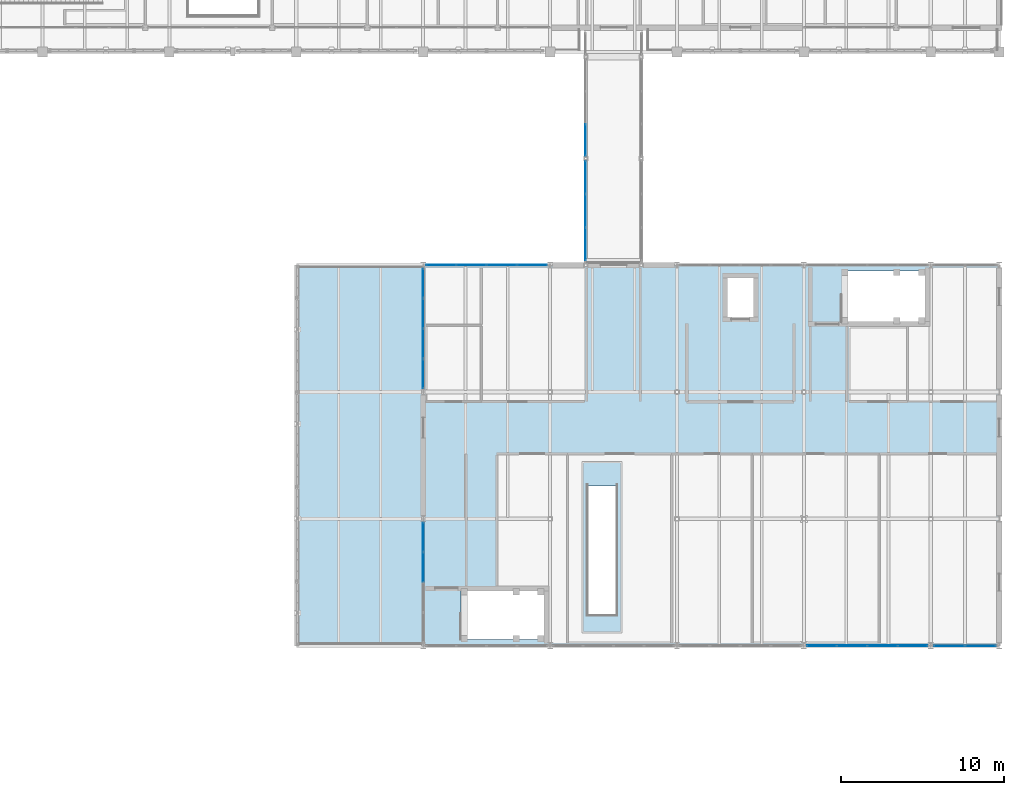
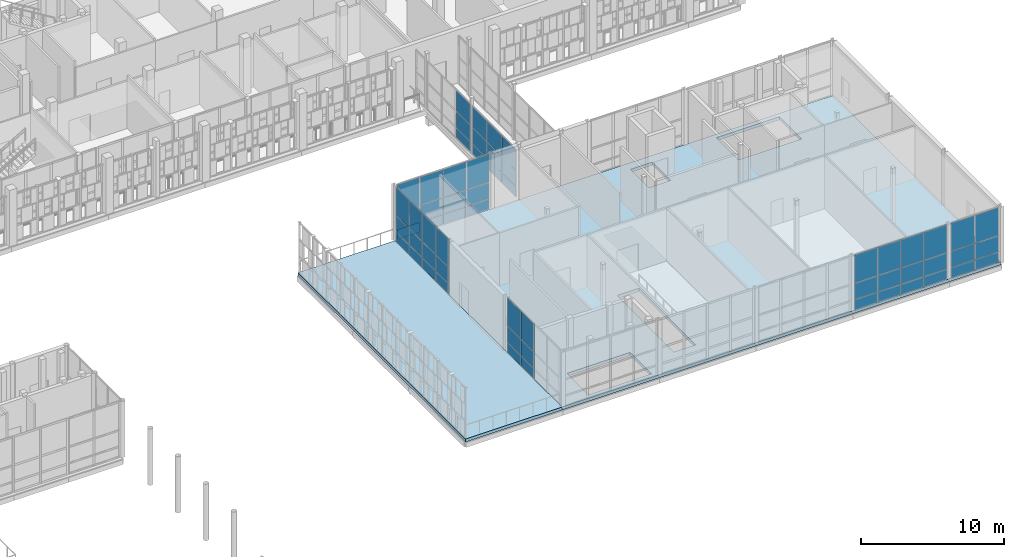
# One storey, part 87 of 138: 60 plates, 2 slabs, 7 elements without a shape of their own.
"""IFC4 building model written with IfcOpenShell, lengths in metres."""

import ifcopenshell
import ifcopenshell.guid

model = None  # the IFC model being written
_history = None  # IfcOwnerHistory: only IFC2X3 demands one
_inside = {}  # id of a spatial element -> (the spatial element, [elements in it])
_under = {}  # id of a project, library or spatial element -> (it, [spatial elements below it])
_declared = {}  # id of a project -> (the project, [libraries it declares])
_typed = {}  # id of a type object -> (the type object, [elements of that type])
_made_of = {}  # id of a material, layer set ... -> (it, [elements and type objects made of it])


def new_model(schema):
    """Start an empty IFC model of exactly this schema.

    Asked for "IFC4X3", IfcOpenShell would pick the latest addendum, in which some entities
    have other attributes; the version numbers below select the first issue.
    IFC2X3 requires an IfcOwnerHistory on every rooted entity: one is made here for all.
    """
    global model, _history
    if schema == "IFC4X3":
        model = ifcopenshell.file(schema_version=(4, 3, 0, 0))
    else:
        model = ifcopenshell.file(schema=schema)
    _inside.clear()
    _under.clear()
    _declared.clear()
    _typed.clear()
    _made_of.clear()
    _history = None
    if model.schema == "IFC2X3":
        org = make("IfcOrganization", Name="unknown")
        user = make(
            "IfcPersonAndOrganization",
            ThePerson=make("IfcPerson", FamilyName="unknown"),
            TheOrganization=org,
        )
        app = make(
            "IfcApplication",
            ApplicationDeveloper=org,
            Version="unknown",
            ApplicationFullName="unknown",
            ApplicationIdentifier="unknown",
        )
        _history = make(
            "IfcOwnerHistory",
            OwningUser=user,
            OwningApplication=app,
            ChangeAction="ADDED",
            CreationDate=0,
        )
    return model


def make(cls, **values):
    """One entity of the class cls with the attributes given. An attribute that is None is left unset."""
    return model.create_entity(
        cls, **{name: value for name, value in values.items() if value is not None}
    )


def rooted(cls, **values):
    """An entity with a GlobalId (a new one), such as an element, a storey or a relation."""
    return make(cls, GlobalId=ifcopenshell.guid.new(), OwnerHistory=_history, **values)


def si_unit(unit_type, name, prefix=None):
    """IfcSIUnit, for example si_unit("LENGTHUNIT", "METRE", prefix="MILLI")."""
    return make("IfcSIUnit", UnitType=unit_type, Prefix=prefix, Name=name)


def assignment(units):
    """IfcUnitAssignment: the units of a project."""
    return None if units is None else make("IfcUnitAssignment", Units=units)


def point(xyz):
    """IfcCartesianPoint."""
    return None if xyz is None else make("IfcCartesianPoint", Coordinates=xyz)


def direction(xyz):
    """IfcDirection."""
    return None if xyz is None else make("IfcDirection", DirectionRatios=xyz)


def frame(location, z_axis=None, x_axis=None):
    """IfcAxis2Placement3D, a coordinate frame: its origin and axes. An axis left out is left unset."""
    return make(
        "IfcAxis2Placement3D",
        Location=point(location),
        Axis=direction(z_axis),
        RefDirection=direction(x_axis),
    )


def frame_2d(location, x_axis=None):
    """IfcAxis2Placement2D, a coordinate frame in the plane: its origin and x axis."""
    return make(
        "IfcAxis2Placement2D", Location=point(location), RefDirection=direction(x_axis)
    )


def origin():
    """The frame at (0, 0, 0) with its axes left unset."""
    return frame((0.0, 0.0, 0.0))


def origin_2d():
    """The frame at (0, 0) in the plane with its x axis left unset."""
    return frame_2d((0.0, 0.0))


def place(relative_to, where):
    """IfcLocalPlacement: puts the frame where relative to a parent placement (None: the world)."""
    return make(
        "IfcLocalPlacement", PlacementRelTo=relative_to, RelativePlacement=where
    )


def context(
    kind, dimensions, precision=None, world=None, true_north=None, identifier=None
):
    """IfcGeometricRepresentationContext, for example the 3D "Model" context."""
    return make(
        "IfcGeometricRepresentationContext",
        ContextIdentifier=identifier,
        ContextType=kind,
        CoordinateSpaceDimension=dimensions,
        Precision=precision,
        WorldCoordinateSystem=world,
        TrueNorth=true_north,
    )


def subcontext(parent, identifier, kind, view, scale=None):
    """IfcGeometricRepresentationSubContext, for example "Body" below "Model"."""
    return make(
        "IfcGeometricRepresentationSubContext",
        ContextIdentifier=identifier,
        ContextType=kind,
        ParentContext=parent,
        TargetScale=scale,
        TargetView=view,
    )


def project(units=None, contexts=None):
    """IfcProject with its units and contexts."""
    return rooted(
        "IfcProject",
        Name="project",
        RepresentationContexts=contexts,
        UnitsInContext=assignment(units),
    )


def spatial(cls, under=None, at=None, **own):
    """A site, building, storey or space (cls), placed at a placement, below another one or the project."""
    s = rooted(cls, ObjectPlacement=at, **own)
    if under is not None:
        _under.setdefault(under.id(), (under, []))[1].append(s)
    return s


def polyline(points):
    """IfcPolyline through the points."""
    return make("IfcPolyline", Points=[point(p) for p in points])


def profile(cls, at=None, kind="AREA", **sizes):
    """A parametric profile (cls). Its sizes go by their IFC names, for example OverallWidth=200.0."""
    return make(cls, ProfileType=kind, Position=at, **sizes)


def rectangle(**sizes):
    """IfcRectangleProfileDef."""
    return profile("IfcRectangleProfileDef", **sizes)


def outline(outer, holes=None, kind="AREA"):
    """IfcArbitraryClosedProfileDef: a profile drawn as a closed curve; with holes, ...WithVoids."""
    if holes is None:
        return make("IfcArbitraryClosedProfileDef", ProfileType=kind, OuterCurve=outer)
    return make(
        "IfcArbitraryProfileDefWithVoids",
        ProfileType=kind,
        OuterCurve=outer,
        InnerCurves=holes,
    )


def extrude(swept, where, along, depth):
    """IfcExtrudedAreaSolid: the profile swept, set in the frame where, extruded along a direction by depth."""
    return make(
        "IfcExtrudedAreaSolid",
        SweptArea=swept,
        Position=where,
        ExtrudedDirection=direction(along),
        Depth=depth,
    )


def shape(context_of_items, identifier, shape_type, items):
    """IfcShapeRepresentation: the items that make up one representation, for example the "Body"."""
    return make(
        "IfcShapeRepresentation",
        ContextOfItems=context_of_items,
        RepresentationIdentifier=identifier,
        RepresentationType=shape_type,
        Items=items,
    )


def material(Name=None, Category=None):
    """IfcMaterial."""
    return make("IfcMaterial", Name=Name, Category=Category)


def layer(
    of_material, thickness, ventilated=None, Name=None, Category=None, Priority=None
):
    """IfcMaterialLayer: one layer of a wall or slab, of a material (None: an air gap)."""
    return make(
        "IfcMaterialLayer",
        Material=of_material,
        LayerThickness=thickness,
        IsVentilated=ventilated,
        Name=Name,
        Category=Category,
        Priority=Priority,
    )


def layer_set(layers, Name=None):
    """IfcMaterialLayerSet."""
    return make("IfcMaterialLayerSet", MaterialLayers=layers, LayerSetName=Name)


def made_of(thing, what):
    """Note that an element or type object is made of a material, layer set ...; save() writes the relation."""
    if what is not None:
        _made_of.setdefault(what.id(), (what, []))[1].append(thing)
    return thing


def type_object(cls, material=None, **own):
    """A type object (cls), such as IfcWallType, which elements share."""
    return made_of(rooted(cls, **own), material)


def element(
    cls,
    number,
    at=None,
    inside=None,
    cuts=None,
    type_object=None,
    material=None,
    context=None,
    identifier="Body",
    shape_type=None,
    held_by="IfcProductDefinitionShape",
    body=None,
    shapes=None,
    **own,
):
    """One element of the class cls, such as IfcWall. Its Tag is "e" and its number.

    at: its placement. inside: the storey or other place that contains it. cuts: it is an
    opening in that element (IfcRelVoidsElement). A single representation is given by context,
    identifier, shape_type and body (its items); several are given by shapes. held_by: the class
    of the entity that holds the representations. save() writes the other relations.
    """
    e = rooted(cls, Tag="e%d" % number, ObjectPlacement=at, **own)
    if body is not None:
        shapes = [shape(context, identifier, shape_type, body)]
    if shapes is not None:
        e.Representation = make(held_by, Representations=shapes)
    if inside is not None:
        _inside.setdefault(inside.id(), (inside, []))[1].append(e)
    if cuts is not None:
        rooted(
            "IfcRelVoidsElement", RelatingBuildingElement=cuts, RelatedOpeningElement=e
        )
    if type_object is not None:
        _typed.setdefault(type_object.id(), (type_object, []))[1].append(e)
    return made_of(e, material)


def aggregate(whole, parts):
    """IfcRelAggregates: a whole, such as a stair, and the parts it consists of."""
    return rooted("IfcRelAggregates", RelatingObject=whole, RelatedObjects=parts)


def save(model, path):
    """Write the relations noted so far, then the file.

    IfcRelAggregates (storeys below a building ...), IfcRelContainedInSpatialStructure (elements
    in a storey), IfcRelDefinesByType, IfcRelAssociatesMaterial and IfcRelDeclares: one each for
    every whole, place, type object, material and project.
    """
    for whole, parts in _under.values():
        aggregate(whole, parts)
    for where, things in _inside.values():
        rooted(
            "IfcRelContainedInSpatialStructure",
            RelatedElements=things,
            RelatingStructure=where,
        )
    for kind, things in _typed.values():
        rooted("IfcRelDefinesByType", RelatedObjects=things, RelatingType=kind)
    for what, things in _made_of.values():
        rooted("IfcRelAssociatesMaterial", RelatedObjects=things, RelatingMaterial=what)
    for by, libraries in _declared.values():
        rooted("IfcRelDeclares", RelatingContext=by, RelatedDefinitions=libraries)
    model.write(path)


model = new_model("IFC4")

# Units and contexts
model_context = context("Model", 3, precision=1e-05, world=origin(), true_north=direction((0.0, 1.0)))
body_context = subcontext(model_context, "Body", "Model", "MODEL_VIEW")
ifc_project = project(units=[si_unit("LENGTHUNIT", "METRE"), si_unit("AREAUNIT", "SQUARE_METRE"), si_unit("VOLUMEUNIT", "CUBIC_METRE"), si_unit("PLANEANGLEUNIT", "RADIAN"), si_unit("MASSUNIT", "GRAM", prefix="KILO")], contexts=[model_context])

# Site, building, storey
site_placement = place(None, origin())
site = spatial("IfcSite", under=ifc_project, at=site_placement, CompositionType="ELEMENT")
building_placement = place(site_placement, origin())
building = spatial("IfcBuilding", under=site, at=building_placement, Name="Celorna Specialist Clinic", CompositionType="ELEMENT")
storey_placement = place(building_placement, frame((0.0, 0.0, 4.800048828125)))
storey = spatial("IfcBuildingStorey", under=building, at=storey_placement, Name="L01", CompositionType="ELEMENT", Elevation=4.800048828125)

# Curtain wall, plates
ifc_material_1 = material(Name="Thermally broken aluminium and solar-control glass curtain wall", Category="aluminium")
ifc_layer_1 = layer(ifc_material_1, 0.159912109375, Name="Thermally broken aluminium and solar-control glass curtain wall")
ifc_layer_set_1 = layer_set([ifc_layer_1], Name="Thermally broken aluminium and solar-control glass curtain wall")
curtain_wall_type_1 = type_object("IfcCurtainWallType", Name="CW-43", PredefinedType="NOTDEFINED", material=ifc_layer_set_1)
curtain_wall_1_placement = place(storey_placement, origin())
curtain_wall_1 = element("IfcCurtainWall", 1, at=curtain_wall_1_placement, inside=storey, type_object=curtain_wall_type_1, Name="Curtain wall CW-43 #79", PredefinedType="NOTDEFINED")
ifc_material_2 = material(Name="Low-e double glazing", Category="glass")
ifc_layer_2 = layer(ifc_material_2, 0.028076171875, Name="Low-e double glazing")
ifc_layer_set_2 = layer_set([ifc_layer_2], Name="Low-e double glazing")
plate_type_1 = type_object("IfcPlateType", Name="CPN-01", PredefinedType="CURTAIN_PANEL", material=ifc_layer_set_2)
plate_1_placement = place(storey_placement, frame((166.860595703125, 60.0, 0.0498046875), z_axis=(0.0, 0.0, 1.0), x_axis=(-1.0, 0.0, 0.0)))
plate_1 = element("IfcPlate", 2, at=plate_1_placement, type_object=plate_type_1, Name="CW-43 panel 1.1", PredefinedType="CURTAIN_PANEL", context=body_context, shape_type="SweptSolid", body=[
    extrude(rectangle(XDim=1.87109375, YDim=0.028076171875, at=origin_2d()), origin(), (0.0, 0.0, 1.0), 0.824951171875),
])
plate_2_placement = place(storey_placement, frame((166.860595703125, 60.0, 0.9248046875), z_axis=(0.0, 0.0, 1.0), x_axis=(-1.0, 0.0, 0.0)))
plate_2 = element("IfcPlate", 3, at=plate_2_placement, type_object=plate_type_1, Name="CW-43 panel 1.2", PredefinedType="CURTAIN_PANEL", context=body_context, shape_type="SweptSolid", body=[
    extrude(rectangle(XDim=1.87109375, YDim=0.028076171875, at=origin_2d()), origin(), (0.0, 0.0, 1.0), 1.35009765625),
])
plate_3_placement = place(storey_placement, frame((166.860595703125, 60.0, 2.324951171875), z_axis=(0.0, 0.0, 1.0), x_axis=(-1.0, 0.0, 0.0)))
plate_3 = element("IfcPlate", 4, at=plate_3_placement, type_object=plate_type_1, Name="CW-43 panel 1.3", PredefinedType="CURTAIN_PANEL", context=body_context, shape_type="SweptSolid", body=[
    extrude(rectangle(XDim=1.87109375, YDim=0.028076171875, at=origin_2d()), origin(), (0.0, 0.0, 1.0), 2.375),
])
plate_4_placement = place(storey_placement, frame((164.939453125, 60.0, 0.0498046875), z_axis=(0.0, 0.0, 1.0), x_axis=(-1.0, 0.0, 0.0)))
plate_4 = element("IfcPlate", 5, at=plate_4_placement, type_object=plate_type_1, Name="CW-43 panel 2.1", PredefinedType="CURTAIN_PANEL", context=body_context, shape_type="SweptSolid", body=[
    extrude(rectangle(XDim=1.87109375, YDim=0.028076171875, at=origin_2d()), origin(), (0.0, 0.0, 1.0), 0.824951171875),
])
plate_5_placement = place(storey_placement, frame((164.939453125, 60.0, 0.9248046875), z_axis=(0.0, 0.0, 1.0), x_axis=(-1.0, 0.0, 0.0)))
plate_5 = element("IfcPlate", 6, at=plate_5_placement, type_object=plate_type_1, Name="CW-43 panel 2.2", PredefinedType="CURTAIN_PANEL", context=body_context, shape_type="SweptSolid", body=[
    extrude(rectangle(XDim=1.87109375, YDim=0.028076171875, at=origin_2d()), origin(), (0.0, 0.0, 1.0), 1.35009765625),
])
plate_6_placement = place(storey_placement, frame((164.939453125, 60.0, 2.324951171875), z_axis=(0.0, 0.0, 1.0), x_axis=(-1.0, 0.0, 0.0)))
plate_6 = element("IfcPlate", 7, at=plate_6_placement, type_object=plate_type_1, Name="CW-43 panel 2.3", PredefinedType="CURTAIN_PANEL", context=body_context, shape_type="SweptSolid", body=[
    extrude(rectangle(XDim=1.87109375, YDim=0.028076171875, at=origin_2d()), origin(), (0.0, 0.0, 1.0), 2.375),
])
aggregate(curtain_wall_1, [plate_1, plate_2, plate_3, plate_4, plate_5, plate_6])

ifc_layer_3 = layer(ifc_material_1, 0.159912109375, Name="Thermally broken aluminium and solar-control glass curtain wall")
ifc_layer_set_3 = layer_set([ifc_layer_3], Name="Thermally broken aluminium and solar-control glass curtain wall")
curtain_wall_type_2 = type_object("IfcCurtainWallType", Name="CW-116", PredefinedType="NOTDEFINED", material=ifc_layer_set_3)
curtain_wall_2_placement = place(storey_placement, origin())
curtain_wall_2 = element("IfcCurtainWall", 8, at=curtain_wall_2_placement, inside=storey, type_object=curtain_wall_type_2, Name="Curtain wall CW-116 #220", PredefinedType="NOTDEFINED")
plate_7_placement = place(storey_placement, frame((142.580078125, 84.6923828125, 0.0498046875), z_axis=(0.0, 0.0, 1.0), x_axis=(0.0, 1.0, 0.0)))
plate_7 = element("IfcPlate", 9, at=plate_7_placement, type_object=plate_type_1, Name="CW-116 panel 1.1", PredefinedType="CURTAIN_PANEL", context=body_context, shape_type="SweptSolid", body=[
    extrude(rectangle(XDim=1.985107421875, YDim=0.028076171875, at=origin_2d()), origin(), (0.0, 0.0, 1.0), 0.824951171875),
])
plate_8_placement = place(storey_placement, frame((142.580078125, 84.6923828125, 0.9248046875), z_axis=(0.0, 0.0, 1.0), x_axis=(0.0, 1.0, 0.0)))
plate_8 = element("IfcPlate", 10, at=plate_8_placement, type_object=plate_type_1, Name="CW-116 panel 1.2", PredefinedType="CURTAIN_PANEL", context=body_context, shape_type="SweptSolid", body=[
    extrude(rectangle(XDim=1.985107421875, YDim=0.028076171875, at=origin_2d()), origin(), (0.0, 0.0, 1.0), 1.35009765625),
])
plate_9_placement = place(storey_placement, frame((142.580078125, 84.6923828125, 2.324951171875), z_axis=(0.0, 0.0, 1.0), x_axis=(0.0, 1.0, 0.0)))
plate_9 = element("IfcPlate", 11, at=plate_9_placement, type_object=plate_type_1, Name="CW-116 panel 1.3", PredefinedType="CURTAIN_PANEL", context=body_context, shape_type="SweptSolid", body=[
    extrude(rectangle(XDim=1.985107421875, YDim=0.028076171875, at=origin_2d()), origin(), (0.0, 0.0, 1.0), 1.7548828125),
])
plate_10_placement = place(storey_placement, frame((142.580078125, 86.739990234375, 0.0498046875), z_axis=(0.0, 0.0, 1.0), x_axis=(0.0, 1.0, 0.0)))
plate_10 = element("IfcPlate", 12, at=plate_10_placement, type_object=plate_type_1, Name="CW-116 panel 2.1", PredefinedType="CURTAIN_PANEL", context=body_context, shape_type="SweptSolid", body=[
    extrude(rectangle(XDim=2.010009765625, YDim=0.028076171875, at=origin_2d()), origin(), (0.0, 0.0, 1.0), 0.824951171875),
])
plate_11_placement = place(storey_placement, frame((142.580078125, 86.739990234375, 0.9248046875), z_axis=(0.0, 0.0, 1.0), x_axis=(0.0, 1.0, 0.0)))
plate_11 = element("IfcPlate", 13, at=plate_11_placement, type_object=plate_type_1, Name="CW-116 panel 2.2", PredefinedType="CURTAIN_PANEL", context=body_context, shape_type="SweptSolid", body=[
    extrude(rectangle(XDim=2.010009765625, YDim=0.028076171875, at=origin_2d()), origin(), (0.0, 0.0, 1.0), 1.35009765625),
])
plate_12_placement = place(storey_placement, frame((142.580078125, 86.739990234375, 2.324951171875), z_axis=(0.0, 0.0, 1.0), x_axis=(0.0, 1.0, 0.0)))
plate_12 = element("IfcPlate", 14, at=plate_12_placement, type_object=plate_type_1, Name="CW-116 panel 2.3", PredefinedType="CURTAIN_PANEL", context=body_context, shape_type="SweptSolid", body=[
    extrude(rectangle(XDim=2.010009765625, YDim=0.028076171875, at=origin_2d()), origin(), (0.0, 0.0, 1.0), 1.7548828125),
])
plate_13_placement = place(storey_placement, frame((142.580078125, 88.78759765625, 0.0498046875), z_axis=(0.0, 0.0, 1.0), x_axis=(0.0, 1.0, 0.0)))
plate_13 = element("IfcPlate", 15, at=plate_13_placement, type_object=plate_type_1, Name="CW-116 panel 3.1", PredefinedType="CURTAIN_PANEL", context=body_context, shape_type="SweptSolid", body=[
    extrude(rectangle(XDim=1.985107421875, YDim=0.028076171875, at=origin_2d()), origin(), (0.0, 0.0, 1.0), 0.824951171875),
])
plate_14_placement = place(storey_placement, frame((142.580078125, 88.78759765625, 0.9248046875), z_axis=(0.0, 0.0, 1.0), x_axis=(0.0, 1.0, 0.0)))
plate_14 = element("IfcPlate", 16, at=plate_14_placement, type_object=plate_type_1, Name="CW-116 panel 3.2", PredefinedType="CURTAIN_PANEL", context=body_context, shape_type="SweptSolid", body=[
    extrude(rectangle(XDim=1.985107421875, YDim=0.028076171875, at=origin_2d()), origin(), (0.0, 0.0, 1.0), 1.35009765625),
])
plate_15_placement = place(storey_placement, frame((142.580078125, 88.78759765625, 2.324951171875), z_axis=(0.0, 0.0, 1.0), x_axis=(0.0, 1.0, 0.0)))
plate_15 = element("IfcPlate", 17, at=plate_15_placement, type_object=plate_type_1, Name="CW-116 panel 3.3", PredefinedType="CURTAIN_PANEL", context=body_context, shape_type="SweptSolid", body=[
    extrude(rectangle(XDim=1.985107421875, YDim=0.028076171875, at=origin_2d()), origin(), (0.0, 0.0, 1.0), 1.7548828125),
])
aggregate(curtain_wall_2, [plate_7, plate_8, plate_9, plate_10, plate_11, plate_12, plate_13, plate_14, plate_15])

ifc_layer_4 = layer(ifc_material_1, 0.159912109375, Name="Thermally broken aluminium and solar-control glass curtain wall")
ifc_layer_set_4 = layer_set([ifc_layer_4], Name="Thermally broken aluminium and solar-control glass curtain wall")
curtain_wall_type_3 = type_object("IfcCurtainWallType", Name="CW-117", PredefinedType="NOTDEFINED", material=ifc_layer_set_4)
curtain_wall_3_placement = place(storey_placement, origin())
curtain_wall_3 = element("IfcCurtainWall", 18, at=curtain_wall_3_placement, inside=storey, type_object=curtain_wall_type_3, Name="Curtain wall CW-117 #221", PredefinedType="NOTDEFINED")
plate_16_placement = place(storey_placement, frame((142.580078125, 91.084228515625, 0.0498046875), z_axis=(0.0, 0.0, 1.0), x_axis=(0.0, 1.0, 0.0)))
plate_16 = element("IfcPlate", 19, at=plate_16_placement, type_object=plate_type_1, Name="CW-117 panel 1.1", PredefinedType="CURTAIN_PANEL", context=body_context, shape_type="SweptSolid", body=[
    extrude(rectangle(XDim=1.92822265625, YDim=0.028076171875, at=origin_2d()), origin(), (0.0, 0.0, 1.0), 0.824951171875),
])
plate_17_placement = place(storey_placement, frame((142.580078125, 91.084228515625, 0.9248046875), z_axis=(0.0, 0.0, 1.0), x_axis=(0.0, 1.0, 0.0)))
plate_17 = element("IfcPlate", 20, at=plate_17_placement, type_object=plate_type_1, Name="CW-117 panel 1.2", PredefinedType="CURTAIN_PANEL", context=body_context, shape_type="SweptSolid", body=[
    extrude(rectangle(XDim=1.92822265625, YDim=0.028076171875, at=origin_2d()), origin(), (0.0, 0.0, 1.0), 1.35009765625),
])
plate_18_placement = place(storey_placement, frame((142.580078125, 91.084228515625, 2.324951171875), z_axis=(0.0, 0.0, 1.0), x_axis=(0.0, 1.0, 0.0)))
plate_18 = element("IfcPlate", 21, at=plate_18_placement, type_object=plate_type_1, Name="CW-117 panel 1.3", PredefinedType="CURTAIN_PANEL", context=body_context, shape_type="SweptSolid", body=[
    extrude(rectangle(XDim=1.92822265625, YDim=0.028076171875, at=origin_2d()), origin(), (0.0, 0.0, 1.0), 1.7548828125),
])
aggregate(curtain_wall_3, [plate_16, plate_17, plate_18])

ifc_layer_5 = layer(ifc_material_1, 0.159912109375, Name="Thermally broken aluminium and solar-control glass curtain wall")
ifc_layer_set_5 = layer_set([ifc_layer_5], Name="Thermally broken aluminium and solar-control glass curtain wall")
curtain_wall_type_4 = type_object("IfcCurtainWallType", Name="CW-45", PredefinedType="NOTDEFINED", material=ifc_layer_set_5)
curtain_wall_4_placement = place(storey_placement, origin())
curtain_wall_4 = element("IfcCurtainWall", 22, at=curtain_wall_4_placement, inside=storey, type_object=curtain_wall_type_4, Name="Curtain wall CW-45 #85", PredefinedType="NOTDEFINED")
ifc_material_3 = material(Name="Solar-control triple glazing", Category="glass")
ifc_layer_6 = layer(ifc_material_3, 0.035888671875, Name="Solar-control triple glazing")
ifc_layer_set_6 = layer_set([ifc_layer_6], Name="Solar-control triple glazing")
plate_type_2 = type_object("IfcPlateType", Name="CPN-02", PredefinedType="CURTAIN_PANEL", material=ifc_layer_set_6)
plate_19_placement = place(storey_placement, frame((132.60009765625, 76.7255859375, 0.0498046875), z_axis=(0.0, 0.0, 1.0), x_axis=(0.0, 1.0, 0.0)))
plate_19 = element("IfcPlate", 23, at=plate_19_placement, type_object=plate_type_2, Name="CW-45 panel 1.1", PredefinedType="CURTAIN_PANEL", context=body_context, shape_type="SweptSolid", body=[
    extrude(rectangle(XDim=1.782958984375, YDim=0.035888671875, at=origin_2d()), origin(), (0.0, 0.0, 1.0), 0.824951171875),
])
plate_20_placement = place(storey_placement, frame((132.60009765625, 76.7255859375, 0.9248046875), z_axis=(0.0, 0.0, 1.0), x_axis=(0.0, 1.0, 0.0)))
plate_20 = element("IfcPlate", 24, at=plate_20_placement, type_object=plate_type_2, Name="CW-45 panel 1.2", PredefinedType="CURTAIN_PANEL", context=body_context, shape_type="SweptSolid", body=[
    extrude(rectangle(XDim=1.782958984375, YDim=0.035888671875, at=origin_2d()), origin(), (0.0, 0.0, 1.0), 1.35009765625),
])
plate_21_placement = place(storey_placement, frame((132.60009765625, 76.7255859375, 2.324951171875), z_axis=(0.0, 0.0, 1.0), x_axis=(0.0, 1.0, 0.0)))
plate_21 = element("IfcPlate", 25, at=plate_21_placement, type_object=plate_type_2, Name="CW-45 panel 1.3", PredefinedType="CURTAIN_PANEL", context=body_context, shape_type="SweptSolid", body=[
    extrude(rectangle(XDim=1.782958984375, YDim=0.035888671875, at=origin_2d()), origin(), (0.0, 0.0, 1.0), 2.375),
])
plate_22_placement = place(storey_placement, frame((132.60009765625, 78.571044921875, 0.0498046875), z_axis=(0.0, 0.0, 1.0), x_axis=(0.0, 1.0, 0.0)))
plate_22 = element("IfcPlate", 26, at=plate_22_placement, type_object=plate_type_2, Name="CW-45 panel 2.1", PredefinedType="CURTAIN_PANEL", context=body_context, shape_type="SweptSolid", body=[
    extrude(rectangle(XDim=1.80810546875, YDim=0.035888671875, at=origin_2d()), origin(), (0.0, 0.0, 1.0), 0.824951171875),
])
plate_23_placement = place(storey_placement, frame((132.60009765625, 78.571044921875, 0.9248046875), z_axis=(0.0, 0.0, 1.0), x_axis=(0.0, 1.0, 0.0)))
plate_23 = element("IfcPlate", 27, at=plate_23_placement, type_object=plate_type_2, Name="CW-45 panel 2.2", PredefinedType="CURTAIN_PANEL", context=body_context, shape_type="SweptSolid", body=[
    extrude(rectangle(XDim=1.80810546875, YDim=0.035888671875, at=origin_2d()), origin(), (0.0, 0.0, 1.0), 1.35009765625),
])
plate_24_placement = place(storey_placement, frame((132.60009765625, 78.571044921875, 2.324951171875), z_axis=(0.0, 0.0, 1.0), x_axis=(0.0, 1.0, 0.0)))
plate_24 = element("IfcPlate", 28, at=plate_24_placement, type_object=plate_type_2, Name="CW-45 panel 2.3", PredefinedType="CURTAIN_PANEL", context=body_context, shape_type="SweptSolid", body=[
    extrude(rectangle(XDim=1.80810546875, YDim=0.035888671875, at=origin_2d()), origin(), (0.0, 0.0, 1.0), 2.375),
])
plate_25_placement = place(storey_placement, frame((132.60009765625, 80.428955078125, 0.0498046875), z_axis=(0.0, 0.0, 1.0), x_axis=(0.0, 1.0, 0.0)))
plate_25 = element("IfcPlate", 29, at=plate_25_placement, type_object=plate_type_2, Name="CW-45 panel 3.1", PredefinedType="CURTAIN_PANEL", context=body_context, shape_type="SweptSolid", body=[
    extrude(rectangle(XDim=1.80810546875, YDim=0.035888671875, at=origin_2d()), origin(), (0.0, 0.0, 1.0), 0.824951171875),
])
plate_26_placement = place(storey_placement, frame((132.60009765625, 80.428955078125, 0.9248046875), z_axis=(0.0, 0.0, 1.0), x_axis=(0.0, 1.0, 0.0)))
plate_26 = element("IfcPlate", 30, at=plate_26_placement, type_object=plate_type_2, Name="CW-45 panel 3.2", PredefinedType="CURTAIN_PANEL", context=body_context, shape_type="SweptSolid", body=[
    extrude(rectangle(XDim=1.80810546875, YDim=0.035888671875, at=origin_2d()), origin(), (0.0, 0.0, 1.0), 1.35009765625),
])
plate_27_placement = place(storey_placement, frame((132.60009765625, 80.428955078125, 2.324951171875), z_axis=(0.0, 0.0, 1.0), x_axis=(0.0, 1.0, 0.0)))
plate_27 = element("IfcPlate", 31, at=plate_27_placement, type_object=plate_type_2, Name="CW-45 panel 3.3", PredefinedType="CURTAIN_PANEL", context=body_context, shape_type="SweptSolid", body=[
    extrude(rectangle(XDim=1.80810546875, YDim=0.035888671875, at=origin_2d()), origin(), (0.0, 0.0, 1.0), 2.375),
])
plate_28_placement = place(storey_placement, frame((132.60009765625, 82.2744140625, 0.0498046875), z_axis=(0.0, 0.0, 1.0), x_axis=(0.0, 1.0, 0.0)))
plate_28 = element("IfcPlate", 32, at=plate_28_placement, type_object=plate_type_2, Name="CW-45 panel 4.1", PredefinedType="CURTAIN_PANEL", context=body_context, shape_type="SweptSolid", body=[
    extrude(rectangle(XDim=1.782958984375, YDim=0.035888671875, at=origin_2d()), origin(), (0.0, 0.0, 1.0), 0.824951171875),
])
plate_29_placement = place(storey_placement, frame((132.60009765625, 82.2744140625, 0.9248046875), z_axis=(0.0, 0.0, 1.0), x_axis=(0.0, 1.0, 0.0)))
plate_29 = element("IfcPlate", 33, at=plate_29_placement, type_object=plate_type_2, Name="CW-45 panel 4.2", PredefinedType="CURTAIN_PANEL", context=body_context, shape_type="SweptSolid", body=[
    extrude(rectangle(XDim=1.782958984375, YDim=0.035888671875, at=origin_2d()), origin(), (0.0, 0.0, 1.0), 1.35009765625),
])
plate_30_placement = place(storey_placement, frame((132.60009765625, 82.2744140625, 2.324951171875), z_axis=(0.0, 0.0, 1.0), x_axis=(0.0, 1.0, 0.0)))
plate_30 = element("IfcPlate", 34, at=plate_30_placement, type_object=plate_type_2, Name="CW-45 panel 4.3", PredefinedType="CURTAIN_PANEL", context=body_context, shape_type="SweptSolid", body=[
    extrude(rectangle(XDim=1.782958984375, YDim=0.035888671875, at=origin_2d()), origin(), (0.0, 0.0, 1.0), 2.375),
])
aggregate(curtain_wall_4, [plate_19, plate_20, plate_21, plate_22, plate_23, plate_24, plate_25, plate_26, plate_27, plate_28, plate_29, plate_30])

ifc_layer_7 = layer(ifc_material_1, 0.159912109375, Name="Thermally broken aluminium and solar-control glass curtain wall")
ifc_layer_set_7 = layer_set([ifc_layer_7], Name="Thermally broken aluminium and solar-control glass curtain wall")
curtain_wall_type_5 = type_object("IfcCurtainWallType", Name="CW-40", PredefinedType="NOTDEFINED", material=ifc_layer_set_7)
curtain_wall_5_placement = place(storey_placement, origin())
curtain_wall_5 = element("IfcCurtainWall", 35, at=curtain_wall_5_placement, inside=storey, type_object=curtain_wall_type_5, Name="Curtain wall CW-40 #78", PredefinedType="NOTDEFINED")
ifc_material_4 = material(Name="Glazed polychrome ceramic insulated spandrel")
ifc_layer_8 = layer(ifc_material_4, 0.0439453125, Name="Glazed polychrome ceramic insulated spandrel")
ifc_layer_set_8 = layer_set([ifc_layer_8], Name="Glazed polychrome ceramic insulated spandrel")
plate_type_3 = type_object("IfcPlateType", Name="CPN-03", PredefinedType="CURTAIN_PANEL", material=ifc_layer_set_8)
plate_31_placement = place(storey_placement, frame((162.697021484375, 60.0, 0.0498046875), z_axis=(0.0, 0.0, 1.0), x_axis=(-1.0, 0.0, 0.0)))
plate_31 = element("IfcPlate", 36, at=plate_31_placement, type_object=plate_type_3, Name="CW-40 panel 1.1", PredefinedType="CURTAIN_PANEL", context=body_context, shape_type="SweptSolid", body=[
    extrude(rectangle(XDim=1.798095703125, YDim=0.0439453125, at=origin_2d()), origin(), (0.0, 0.0, 1.0), 0.824951171875),
])
plate_32_placement = place(storey_placement, frame((162.697021484375, 60.0, 0.9248046875), z_axis=(0.0, 0.0, 1.0), x_axis=(-1.0, 0.0, 0.0)))
plate_32 = element("IfcPlate", 37, at=plate_32_placement, type_object=plate_type_3, Name="CW-40 panel 1.2", PredefinedType="CURTAIN_PANEL", context=body_context, shape_type="SweptSolid", body=[
    extrude(rectangle(XDim=1.798095703125, YDim=0.0439453125, at=origin_2d()), origin(), (0.0, 0.0, 1.0), 1.35009765625),
])
plate_33_placement = place(storey_placement, frame((162.697021484375, 60.0, 2.324951171875), z_axis=(0.0, 0.0, 1.0), x_axis=(-1.0, 0.0, 0.0)))
plate_33 = element("IfcPlate", 38, at=plate_33_placement, type_object=plate_type_3, Name="CW-40 panel 1.3", PredefinedType="CURTAIN_PANEL", context=body_context, shape_type="SweptSolid", body=[
    extrude(rectangle(XDim=1.798095703125, YDim=0.0439453125, at=origin_2d()), origin(), (0.0, 0.0, 1.0), 2.375),
])
plate_34_placement = place(storey_placement, frame((160.83642578125, 60.0, 0.0498046875), z_axis=(0.0, 0.0, 1.0), x_axis=(-1.0, 0.0, 0.0)))
plate_34 = element("IfcPlate", 39, at=plate_34_placement, type_object=plate_type_3, Name="CW-40 panel 2.1", PredefinedType="CURTAIN_PANEL", context=body_context, shape_type="SweptSolid", body=[
    extrude(rectangle(XDim=1.822998046875, YDim=0.0439453125, at=origin_2d()), origin(), (0.0, 0.0, 1.0), 0.824951171875),
])
plate_35_placement = place(storey_placement, frame((160.83642578125, 60.0, 0.9248046875), z_axis=(0.0, 0.0, 1.0), x_axis=(-1.0, 0.0, 0.0)))
plate_35 = element("IfcPlate", 40, at=plate_35_placement, type_object=plate_type_3, Name="CW-40 panel 2.2", PredefinedType="CURTAIN_PANEL", context=body_context, shape_type="SweptSolid", body=[
    extrude(rectangle(XDim=1.822998046875, YDim=0.0439453125, at=origin_2d()), origin(), (0.0, 0.0, 1.0), 1.35009765625),
])
plate_36_placement = place(storey_placement, frame((160.83642578125, 60.0, 2.324951171875), z_axis=(0.0, 0.0, 1.0), x_axis=(-1.0, 0.0, 0.0)))
plate_36 = element("IfcPlate", 41, at=plate_36_placement, type_object=plate_type_3, Name="CW-40 panel 2.3", PredefinedType="CURTAIN_PANEL", context=body_context, shape_type="SweptSolid", body=[
    extrude(rectangle(XDim=1.822998046875, YDim=0.0439453125, at=origin_2d()), origin(), (0.0, 0.0, 1.0), 2.375),
])
plate_37_placement = place(storey_placement, frame((158.96337890625, 60.0, 0.0498046875), z_axis=(0.0, 0.0, 1.0), x_axis=(-1.0, 0.0, 0.0)))
plate_37 = element("IfcPlate", 42, at=plate_37_placement, type_object=plate_type_3, Name="CW-40 panel 3.1", PredefinedType="CURTAIN_PANEL", context=body_context, shape_type="SweptSolid", body=[
    extrude(rectangle(XDim=1.822998046875, YDim=0.0439453125, at=origin_2d()), origin(), (0.0, 0.0, 1.0), 0.824951171875),
])
plate_38_placement = place(storey_placement, frame((158.96337890625, 60.0, 0.9248046875), z_axis=(0.0, 0.0, 1.0), x_axis=(-1.0, 0.0, 0.0)))
plate_38 = element("IfcPlate", 43, at=plate_38_placement, type_object=plate_type_3, Name="CW-40 panel 3.2", PredefinedType="CURTAIN_PANEL", context=body_context, shape_type="SweptSolid", body=[
    extrude(rectangle(XDim=1.822998046875, YDim=0.0439453125, at=origin_2d()), origin(), (0.0, 0.0, 1.0), 1.35009765625),
])
plate_39_placement = place(storey_placement, frame((158.96337890625, 60.0, 2.324951171875), z_axis=(0.0, 0.0, 1.0), x_axis=(-1.0, 0.0, 0.0)))
plate_39 = element("IfcPlate", 44, at=plate_39_placement, type_object=plate_type_3, Name="CW-40 panel 3.3", PredefinedType="CURTAIN_PANEL", context=body_context, shape_type="SweptSolid", body=[
    extrude(rectangle(XDim=1.822998046875, YDim=0.0439453125, at=origin_2d()), origin(), (0.0, 0.0, 1.0), 2.375),
])
plate_40_placement = place(storey_placement, frame((157.10302734375, 60.0, 0.0498046875), z_axis=(0.0, 0.0, 1.0), x_axis=(-1.0, 0.0, 0.0)))
plate_40 = element("IfcPlate", 45, at=plate_40_placement, type_object=plate_type_3, Name="CW-40 panel 4.1", PredefinedType="CURTAIN_PANEL", context=body_context, shape_type="SweptSolid", body=[
    extrude(rectangle(XDim=1.798095703125, YDim=0.0439453125, at=origin_2d()), origin(), (0.0, 0.0, 1.0), 0.824951171875),
])
plate_41_placement = place(storey_placement, frame((157.10302734375, 60.0, 0.9248046875), z_axis=(0.0, 0.0, 1.0), x_axis=(-1.0, 0.0, 0.0)))
plate_41 = element("IfcPlate", 46, at=plate_41_placement, type_object=plate_type_3, Name="CW-40 panel 4.2", PredefinedType="CURTAIN_PANEL", context=body_context, shape_type="SweptSolid", body=[
    extrude(rectangle(XDim=1.798095703125, YDim=0.0439453125, at=origin_2d()), origin(), (0.0, 0.0, 1.0), 1.35009765625),
])
plate_42_placement = place(storey_placement, frame((157.10302734375, 60.0, 2.324951171875), z_axis=(0.0, 0.0, 1.0), x_axis=(-1.0, 0.0, 0.0)))
plate_42 = element("IfcPlate", 47, at=plate_42_placement, type_object=plate_type_3, Name="CW-40 panel 4.3", PredefinedType="CURTAIN_PANEL", context=body_context, shape_type="SweptSolid", body=[
    extrude(rectangle(XDim=1.798095703125, YDim=0.0439453125, at=origin_2d()), origin(), (0.0, 0.0, 1.0), 2.375),
])
aggregate(curtain_wall_5, [plate_31, plate_32, plate_33, plate_34, plate_35, plate_36, plate_37, plate_38, plate_39, plate_40, plate_41, plate_42])

curtain_wall_6_placement = place(storey_placement, origin())
curtain_wall_6 = element("IfcCurtainWall", 48, at=curtain_wall_6_placement, inside=storey, type_object=curtain_wall_type_5, Name="Curtain wall CW-40 #80", PredefinedType="NOTDEFINED")
plate_43_placement = place(storey_placement, frame((133.702880859375, 83.39990234375, 0.0498046875), z_axis=(0.0, 0.0, 1.0), x_axis=(1.0, 0.0, 0.0)))
plate_43 = element("IfcPlate", 49, at=plate_43_placement, type_object=plate_type_3, Name="CW-40 panel 1.1", PredefinedType="CURTAIN_PANEL", context=body_context, shape_type="SweptSolid", body=[
    extrude(rectangle(XDim=1.798095703125, YDim=0.0439453125, at=origin_2d()), origin(), (0.0, 0.0, 1.0), 0.824951171875),
])
plate_44_placement = place(storey_placement, frame((133.702880859375, 83.39990234375, 0.9248046875), z_axis=(0.0, 0.0, 1.0), x_axis=(1.0, 0.0, 0.0)))
plate_44 = element("IfcPlate", 50, at=plate_44_placement, type_object=plate_type_3, Name="CW-40 panel 1.2", PredefinedType="CURTAIN_PANEL", context=body_context, shape_type="SweptSolid", body=[
    extrude(rectangle(XDim=1.798095703125, YDim=0.0439453125, at=origin_2d()), origin(), (0.0, 0.0, 1.0), 1.35009765625),
])
plate_45_placement = place(storey_placement, frame((133.702880859375, 83.39990234375, 2.324951171875), z_axis=(0.0, 0.0, 1.0), x_axis=(1.0, 0.0, 0.0)))
plate_45 = element("IfcPlate", 51, at=plate_45_placement, type_object=plate_type_3, Name="CW-40 panel 1.3", PredefinedType="CURTAIN_PANEL", context=body_context, shape_type="SweptSolid", body=[
    extrude(rectangle(XDim=1.798095703125, YDim=0.0439453125, at=origin_2d()), origin(), (0.0, 0.0, 1.0), 2.375),
])
plate_46_placement = place(storey_placement, frame((135.5634765625, 83.39990234375, 0.0498046875), z_axis=(0.0, 0.0, 1.0), x_axis=(1.0, 0.0, 0.0)))
plate_46 = element("IfcPlate", 52, at=plate_46_placement, type_object=plate_type_3, Name="CW-40 panel 2.1", PredefinedType="CURTAIN_PANEL", context=body_context, shape_type="SweptSolid", body=[
    extrude(rectangle(XDim=1.822998046875, YDim=0.0439453125, at=origin_2d()), origin(), (0.0, 0.0, 1.0), 0.824951171875),
])
plate_47_placement = place(storey_placement, frame((135.5634765625, 83.39990234375, 0.9248046875), z_axis=(0.0, 0.0, 1.0), x_axis=(1.0, 0.0, 0.0)))
plate_47 = element("IfcPlate", 53, at=plate_47_placement, type_object=plate_type_3, Name="CW-40 panel 2.2", PredefinedType="CURTAIN_PANEL", context=body_context, shape_type="SweptSolid", body=[
    extrude(rectangle(XDim=1.822998046875, YDim=0.0439453125, at=origin_2d()), origin(), (0.0, 0.0, 1.0), 1.35009765625),
])
plate_48_placement = place(storey_placement, frame((135.5634765625, 83.39990234375, 2.324951171875), z_axis=(0.0, 0.0, 1.0), x_axis=(1.0, 0.0, 0.0)))
plate_48 = element("IfcPlate", 54, at=plate_48_placement, type_object=plate_type_3, Name="CW-40 panel 2.3", PredefinedType="CURTAIN_PANEL", context=body_context, shape_type="SweptSolid", body=[
    extrude(rectangle(XDim=1.822998046875, YDim=0.0439453125, at=origin_2d()), origin(), (0.0, 0.0, 1.0), 2.375),
])
plate_49_placement = place(storey_placement, frame((137.4365234375, 83.39990234375, 0.0498046875), z_axis=(0.0, 0.0, 1.0), x_axis=(1.0, 0.0, 0.0)))
plate_49 = element("IfcPlate", 55, at=plate_49_placement, type_object=plate_type_3, Name="CW-40 panel 3.1", PredefinedType="CURTAIN_PANEL", context=body_context, shape_type="SweptSolid", body=[
    extrude(rectangle(XDim=1.822998046875, YDim=0.0439453125, at=origin_2d()), origin(), (0.0, 0.0, 1.0), 0.824951171875),
])
plate_50_placement = place(storey_placement, frame((137.4365234375, 83.39990234375, 0.9248046875), z_axis=(0.0, 0.0, 1.0), x_axis=(1.0, 0.0, 0.0)))
plate_50 = element("IfcPlate", 56, at=plate_50_placement, type_object=plate_type_3, Name="CW-40 panel 3.2", PredefinedType="CURTAIN_PANEL", context=body_context, shape_type="SweptSolid", body=[
    extrude(rectangle(XDim=1.822998046875, YDim=0.0439453125, at=origin_2d()), origin(), (0.0, 0.0, 1.0), 1.35009765625),
])
plate_51_placement = place(storey_placement, frame((137.4365234375, 83.39990234375, 2.324951171875), z_axis=(0.0, 0.0, 1.0), x_axis=(1.0, 0.0, 0.0)))
plate_51 = element("IfcPlate", 57, at=plate_51_placement, type_object=plate_type_3, Name="CW-40 panel 3.3", PredefinedType="CURTAIN_PANEL", context=body_context, shape_type="SweptSolid", body=[
    extrude(rectangle(XDim=1.822998046875, YDim=0.0439453125, at=origin_2d()), origin(), (0.0, 0.0, 1.0), 2.375),
])
plate_52_placement = place(storey_placement, frame((139.297119140625, 83.39990234375, 0.0498046875), z_axis=(0.0, 0.0, 1.0), x_axis=(1.0, 0.0, 0.0)))
plate_52 = element("IfcPlate", 58, at=plate_52_placement, type_object=plate_type_3, Name="CW-40 panel 4.1", PredefinedType="CURTAIN_PANEL", context=body_context, shape_type="SweptSolid", body=[
    extrude(rectangle(XDim=1.798095703125, YDim=0.0439453125, at=origin_2d()), origin(), (0.0, 0.0, 1.0), 0.824951171875),
])
plate_53_placement = place(storey_placement, frame((139.297119140625, 83.39990234375, 0.9248046875), z_axis=(0.0, 0.0, 1.0), x_axis=(1.0, 0.0, 0.0)))
plate_53 = element("IfcPlate", 59, at=plate_53_placement, type_object=plate_type_3, Name="CW-40 panel 4.2", PredefinedType="CURTAIN_PANEL", context=body_context, shape_type="SweptSolid", body=[
    extrude(rectangle(XDim=1.798095703125, YDim=0.0439453125, at=origin_2d()), origin(), (0.0, 0.0, 1.0), 1.35009765625),
])
plate_54_placement = place(storey_placement, frame((139.297119140625, 83.39990234375, 2.324951171875), z_axis=(0.0, 0.0, 1.0), x_axis=(1.0, 0.0, 0.0)))
plate_54 = element("IfcPlate", 60, at=plate_54_placement, type_object=plate_type_3, Name="CW-40 panel 4.3", PredefinedType="CURTAIN_PANEL", context=body_context, shape_type="SweptSolid", body=[
    extrude(rectangle(XDim=1.798095703125, YDim=0.0439453125, at=origin_2d()), origin(), (0.0, 0.0, 1.0), 2.375),
])
aggregate(curtain_wall_6, [plate_43, plate_44, plate_45, plate_46, plate_47, plate_48, plate_49, plate_50, plate_51, plate_52, plate_53, plate_54])

ifc_layer_9 = layer(ifc_material_1, 0.159912109375, Name="Thermally broken aluminium and solar-control glass curtain wall")
ifc_layer_set_9 = layer_set([ifc_layer_9], Name="Thermally broken aluminium and solar-control glass curtain wall")
curtain_wall_type_6 = type_object("IfcCurtainWallType", Name="CW-44", PredefinedType="NOTDEFINED", material=ifc_layer_set_9)
curtain_wall_7_placement = place(storey_placement, origin())
curtain_wall_7 = element("IfcCurtainWall", 61, at=curtain_wall_7_placement, inside=storey, type_object=curtain_wall_type_6, Name="Curtain wall CW-44 #84", PredefinedType="NOTDEFINED")
plate_55_placement = place(storey_placement, frame((132.60009765625, 64.8291015625, 0.0498046875), z_axis=(0.0, 0.0, 1.0), x_axis=(0.0, 1.0, 0.0)))
plate_55 = element("IfcPlate", 62, at=plate_55_placement, type_object=plate_type_3, Name="CW-44 panel 3.1", PredefinedType="CURTAIN_PANEL", context=body_context, shape_type="SweptSolid", body=[
    extrude(rectangle(XDim=1.80810546875, YDim=0.0439453125, at=origin_2d()), origin(), (0.0, 0.0, 1.0), 0.824951171875),
])
plate_56_placement = place(storey_placement, frame((132.60009765625, 64.8291015625, 0.9248046875), z_axis=(0.0, 0.0, 1.0), x_axis=(0.0, 1.0, 0.0)))
plate_56 = element("IfcPlate", 63, at=plate_56_placement, type_object=plate_type_3, Name="CW-44 panel 3.2", PredefinedType="CURTAIN_PANEL", context=body_context, shape_type="SweptSolid", body=[
    extrude(rectangle(XDim=1.80810546875, YDim=0.0439453125, at=origin_2d()), origin(), (0.0, 0.0, 1.0), 1.35009765625),
])
plate_57_placement = place(storey_placement, frame((132.60009765625, 64.8291015625, 2.324951171875), z_axis=(0.0, 0.0, 1.0), x_axis=(0.0, 1.0, 0.0)))
plate_57 = element("IfcPlate", 64, at=plate_57_placement, type_object=plate_type_3, Name="CW-44 panel 3.3", PredefinedType="CURTAIN_PANEL", context=body_context, shape_type="SweptSolid", body=[
    extrude(rectangle(XDim=1.80810546875, YDim=0.0439453125, at=origin_2d()), origin(), (0.0, 0.0, 1.0), 2.375),
])
plate_58_placement = place(storey_placement, frame((132.60009765625, 66.674560546875, 0.0498046875), z_axis=(0.0, 0.0, 1.0), x_axis=(0.0, 1.0, 0.0)))
plate_58 = element("IfcPlate", 65, at=plate_58_placement, type_object=plate_type_3, Name="CW-44 panel 4.1", PredefinedType="CURTAIN_PANEL", context=body_context, shape_type="SweptSolid", body=[
    extrude(rectangle(XDim=1.782958984375, YDim=0.0439453125, at=origin_2d()), origin(), (0.0, 0.0, 1.0), 0.824951171875),
])
plate_59_placement = place(storey_placement, frame((132.60009765625, 66.674560546875, 0.9248046875), z_axis=(0.0, 0.0, 1.0), x_axis=(0.0, 1.0, 0.0)))
plate_59 = element("IfcPlate", 66, at=plate_59_placement, type_object=plate_type_3, Name="CW-44 panel 4.2", PredefinedType="CURTAIN_PANEL", context=body_context, shape_type="SweptSolid", body=[
    extrude(rectangle(XDim=1.782958984375, YDim=0.0439453125, at=origin_2d()), origin(), (0.0, 0.0, 1.0), 1.35009765625),
])
plate_60_placement = place(storey_placement, frame((132.60009765625, 66.674560546875, 2.324951171875), z_axis=(0.0, 0.0, 1.0), x_axis=(0.0, 1.0, 0.0)))
plate_60 = element("IfcPlate", 67, at=plate_60_placement, type_object=plate_type_3, Name="CW-44 panel 4.3", PredefinedType="CURTAIN_PANEL", context=body_context, shape_type="SweptSolid", body=[
    extrude(rectangle(XDim=1.782958984375, YDim=0.0439453125, at=origin_2d()), origin(), (0.0, 0.0, 1.0), 2.375),
])
aggregate(curtain_wall_7, [plate_55, plate_56, plate_57, plate_58, plate_59, plate_60])

# Slabs
ifc_material_5 = material(Name="Concrete C35/45", Category="concrete")
ifc_layer_10 = layer(ifc_material_5, 0.260009765625, Name="Concrete C35/45")
ifc_layer_set_10 = layer_set([ifc_layer_10], Name="Concrete C35/45")
slab_type_1 = type_object("IfcSlabType", Name="SL-07", PredefinedType="FLOOR", material=ifc_layer_set_10)
slab_1_placement = place(storey_placement, frame((0.0, 0.0, -0.260009765625)))
element("IfcSlab", 68, at=slab_1_placement, inside=storey, type_object=slab_type_1, Name="Healing Cloister Veranda Terrace", PredefinedType="FLOOR", context=body_context, shape_type="SweptSolid", body=[
    extrude(outline(polyline([(124.800048828125, 60.0), (132.60009765625, 60.0), (132.60009765625, 83.39990234375), (124.800048828125, 83.39990234375), (124.800048828125, 60.0)])), origin(), (0.0, 0.0, 1.0), 0.260009765625),
])
ifc_layer_11 = layer(ifc_material_5, 0.260009765625, Name="Concrete C35/45")
ifc_layer_set_11 = layer_set([ifc_layer_11], Name="Concrete C35/45")
slab_type_2 = type_object("IfcSlabType", Name="SL-08", PredefinedType="FLOOR", material=ifc_layer_set_11)
slab_2_placement = place(storey_placement, frame((0.0, 0.0, -0.260009765625)))
element("IfcSlab", 69, at=slab_2_placement, inside=storey, type_object=slab_type_2, Name="V3 L01 structural slab SL-08", PredefinedType="FLOOR", context=body_context, shape_type="SweptSolid", body=[
    extrude(outline(polyline([(168.0, 60.0), (168.0, 83.39990234375), (132.60009765625, 83.39990234375), (132.60009765625, 60.0), (168.0, 60.0)]), holes=[polyline([(158.340087890625, 79.919921875), (163.43994140625, 79.919921875), (163.43994140625, 83.02001953125), (158.340087890625, 83.02001953125), (158.340087890625, 79.919921875)]), polyline([(134.93994140625, 60.3798828125), (140.0400390625, 60.3798828125), (140.0400390625, 63.3798828125), (134.93994140625, 63.3798828125), (134.93994140625, 60.3798828125)]), polyline([(142.719970703125, 61.89990234375), (144.47998046875, 61.89990234375), (144.47998046875, 69.8349609375), (142.719970703125, 69.8349609375), (142.719970703125, 61.89990234375)]), polyline([(151.219970703125, 80.1201171875), (152.97998046875, 80.1201171875), (152.97998046875, 82.679931640625), (151.219970703125, 82.679931640625), (151.219970703125, 80.1201171875)])]), origin(), (0.0, 0.0, 1.0), 0.260009765625),
])

save(model, "model.ifc")
